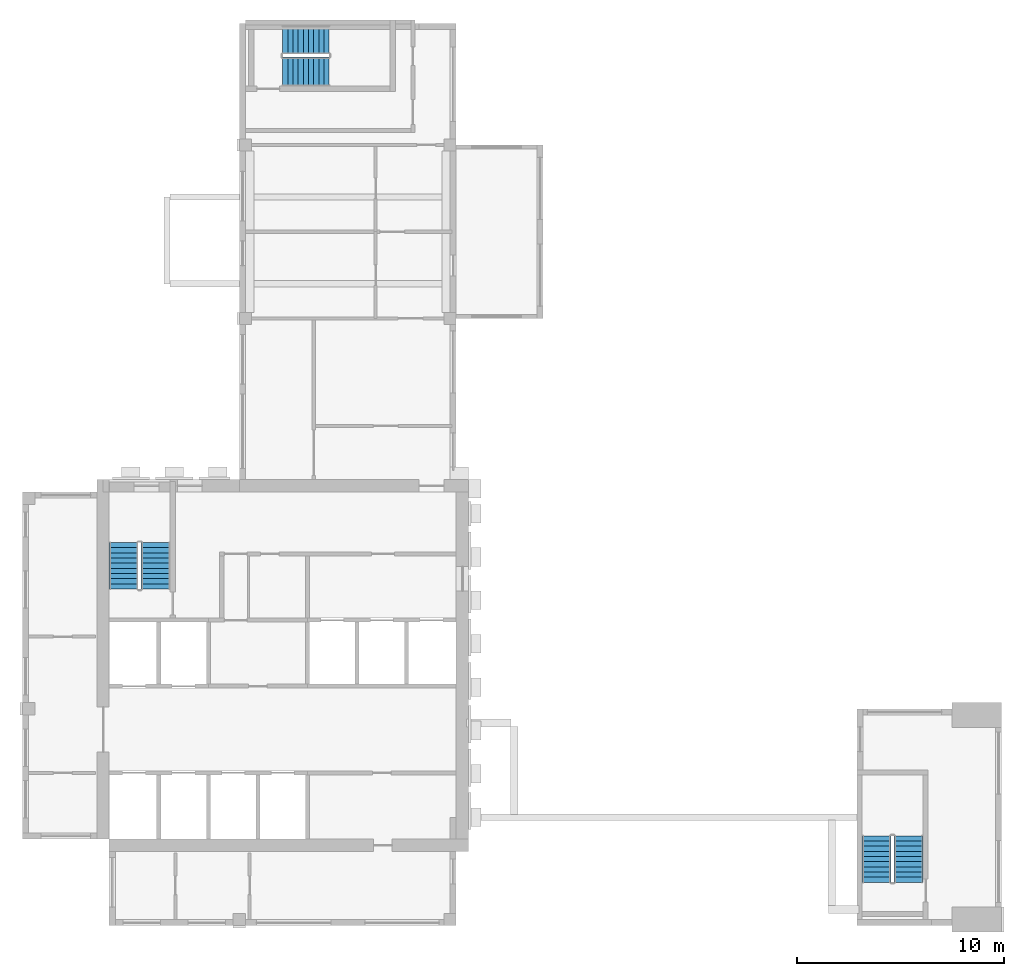
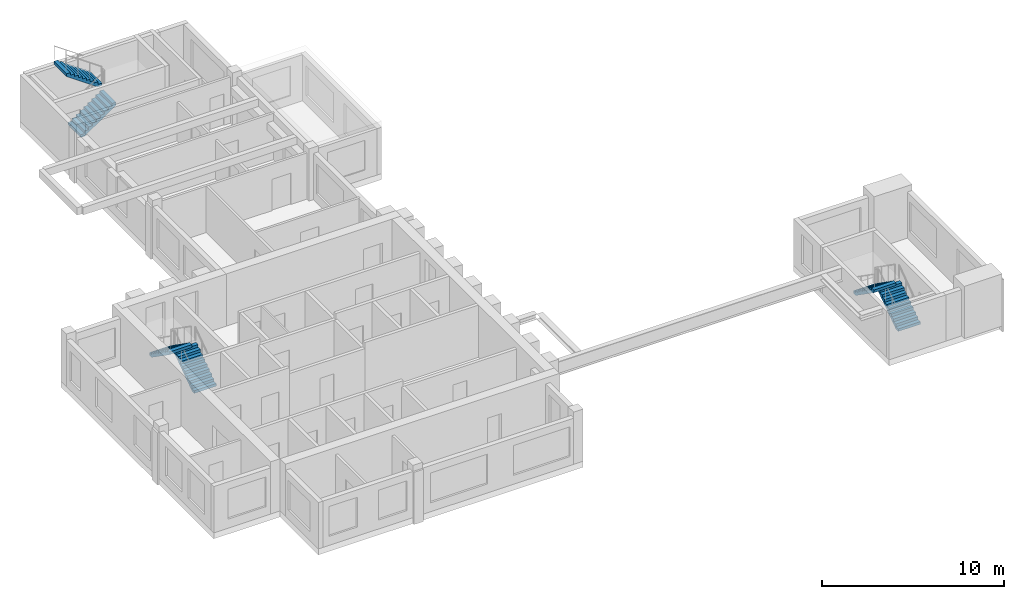
# One storey, part 5 of 8: 6 stair flights, 3 elements without a shape of their own.
"""IFC4 building model written with IfcOpenShell, lengths in metres."""

from ifc_helpers import new_model, si_unit, direction, frame, origin, place, context, subcontext, project, spatial, polyline, outline, extrude, source, transform, mapped, material, type_object, element, aggregate, save


model = new_model("IFC4")

# Units and contexts
model_context = context("Model", 3, precision=1e-05, world=origin(), true_north=direction((0.0, 1.0)))
body_context = subcontext(model_context, "Body", "Model", "MODEL_VIEW")
ifc_project = project(units=[si_unit("LENGTHUNIT", "METRE"), si_unit("AREAUNIT", "SQUARE_METRE"), si_unit("VOLUMEUNIT", "CUBIC_METRE"), si_unit("PLANEANGLEUNIT", "RADIAN"), si_unit("MASSUNIT", "GRAM", prefix="KILO")], contexts=[model_context])

# Site, building, storey
site_placement = place(None, origin())
site = spatial("IfcSite", under=ifc_project, at=site_placement, CompositionType="ELEMENT")
building_placement = place(site_placement, origin())
building = spatial("IfcBuilding", under=site, at=building_placement, Name="Aurelian Terraces", CompositionType="ELEMENT")
storey_placement = place(building_placement, frame((0.0, 0.0, 344.0)))
storey = spatial("IfcBuildingStorey", under=building, at=storey_placement, Name="L81", CompositionType="ELEMENT", Elevation=344.0)

# Stair, stair flights
ifc_material = material(Name="Concrete fc' 40 MPa", Category="concrete")
stair_type = type_object("IfcStairType", Name="Stair 1400", PredefinedType="HALF_TURN_STAIR", material=ifc_material)
stair_1_placement = place(storey_placement, origin())
stair_1 = element("IfcStair", 1, at=stair_1_placement, inside=storey, type_object=stair_type, Name="L81 S1", PredefinedType="HALF_TURN_STAIR")
stair_flight_type = type_object("IfcStairFlightType", Name="Stair flight 1400", PredefinedType="STRAIGHT", material=ifc_material)
shared_shape = source(origin(), body_context, "Body", "SweptSolid", [
    extrude(outline(polyline([(0.0, 0.0), (0.0, 0.175), (0.25, 0.175), (0.25, 0.35), (0.5, 0.35), (0.5, 0.525), (0.75, 0.525), (0.75, 0.7), (1.0, 0.7), (1.0, 0.875), (1.25, 0.875), (1.25, 1.05), (1.5, 1.05), (1.5, 1.225), (1.75, 1.225), (1.75, 1.4), (2.0, 1.4), (2.0, 1.575), (2.25, 1.575), (2.25, 1.75), (2.25, 1.3919), (0.2616, 0.0), (0.0, 0.0)])), frame((0.0, 0.7, 0.0), z_axis=(0.0, -1.0, 0.0), x_axis=(1.0, 0.0, 0.0)), (0.0, 0.0, 1.0), 1.4),
])
stair_flight_1_placement = place(storey_placement, frame((6.45, 16.3, 2e-08), z_axis=(0.0, 0.0, 1.0), x_axis=(0.0, 1.0, 0.0)))
stair_flight_1 = element("IfcStairFlight", 2, at=stair_flight_1_placement, type_object=stair_flight_type, Name="S1 flight 1", NumberOfRisers=10, NumberOfTreads=9, PredefinedType="STRAIGHT", RiserHeight=0.175, TreadLength=0.25, context=body_context, shape_type="MappedRepresentation", body=[
    mapped(shared_shape, transform((0.0, 0.0, 0.0), scale=1.0)),
])
stair_flight_2_placement = place(storey_placement, frame((4.9, 18.55, 1.75000002), z_axis=(0.0, 0.0, 1.0), x_axis=(0.0, -1.0, 0.0)))
stair_flight_2 = element("IfcStairFlight", 3, at=stair_flight_2_placement, type_object=stair_flight_type, Name="S1 flight 2", NumberOfRisers=10, NumberOfTreads=9, PredefinedType="STRAIGHT", RiserHeight=0.175, TreadLength=0.25, context=body_context, shape_type="MappedRepresentation", body=[
    mapped(shared_shape, transform((0.0, 0.0, 0.0), scale=1.0)),
])
aggregate(stair_1, [stair_flight_1, stair_flight_2])

stair_2_placement = place(storey_placement, origin())
stair_2 = element("IfcStair", 4, at=stair_2_placement, inside=storey, type_object=stair_type, Name="L81 S2", PredefinedType="HALF_TURN_STAIR")
stair_flight_3_placement = place(storey_placement, frame((42.9, 2.1, 2e-08), z_axis=(0.0, 0.0, 1.0), x_axis=(0.0, 1.0, 0.0)))
stair_flight_3 = element("IfcStairFlight", 5, at=stair_flight_3_placement, type_object=stair_flight_type, Name="S2 flight 1", NumberOfRisers=10, NumberOfTreads=9, PredefinedType="STRAIGHT", RiserHeight=0.175, TreadLength=0.25, context=body_context, shape_type="MappedRepresentation", body=[
    mapped(shared_shape, transform((0.0, 0.0, 0.0), scale=1.0)),
])
stair_flight_4_placement = place(storey_placement, frame((41.35, 4.35, 1.75000002), z_axis=(0.0, 0.0, 1.0), x_axis=(0.0, -1.0, 0.0)))
stair_flight_4 = element("IfcStairFlight", 6, at=stair_flight_4_placement, type_object=stair_flight_type, Name="S2 flight 2", NumberOfRisers=10, NumberOfTreads=9, PredefinedType="STRAIGHT", RiserHeight=0.175, TreadLength=0.25, context=body_context, shape_type="MappedRepresentation", body=[
    mapped(shared_shape, transform((0.0, 0.0, 0.0), scale=1.0)),
])
aggregate(stair_2, [stair_flight_3, stair_flight_4])

stair_3_placement = place(storey_placement, origin())
stair_3 = element("IfcStair", 7, at=stair_3_placement, inside=storey, type_object=stair_type, Name="L81 S3U", PredefinedType="HALF_TURN_STAIR")
stair_flight_5_placement = place(storey_placement, frame((12.6, 41.35, 2e-08), z_axis=(0.0, 0.0, 1.0), x_axis=(1.0, 0.0, 0.0)))
stair_flight_5 = element("IfcStairFlight", 8, at=stair_flight_5_placement, type_object=stair_flight_type, Name="S3U flight 1", NumberOfRisers=10, NumberOfTreads=9, PredefinedType="STRAIGHT", RiserHeight=0.175, TreadLength=0.25, context=body_context, shape_type="MappedRepresentation", body=[
    mapped(shared_shape, transform((0.0, 0.0, 0.0), scale=1.0)),
])
stair_flight_6_placement = place(storey_placement, frame((14.85, 42.9, 1.75000002), z_axis=(0.0, 0.0, 1.0), x_axis=(-1.0, 0.0, 0.0)))
stair_flight_6 = element("IfcStairFlight", 9, at=stair_flight_6_placement, type_object=stair_flight_type, Name="S3U flight 2", NumberOfRisers=10, NumberOfTreads=9, PredefinedType="STRAIGHT", RiserHeight=0.175, TreadLength=0.25, context=body_context, shape_type="MappedRepresentation", body=[
    mapped(shared_shape, transform((0.0, 0.0, 0.0), scale=1.0)),
])
aggregate(stair_3, [stair_flight_5, stair_flight_6])

save(model, "model.ifc")
